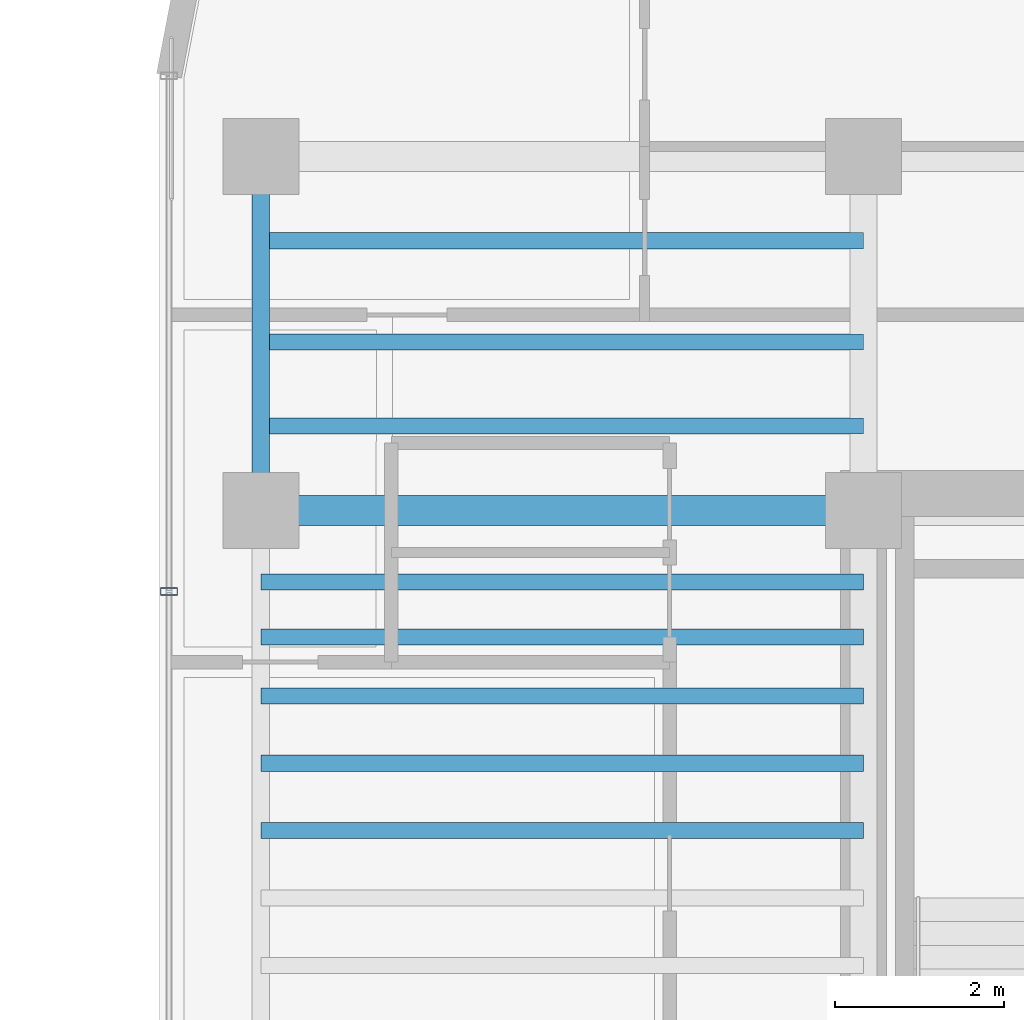
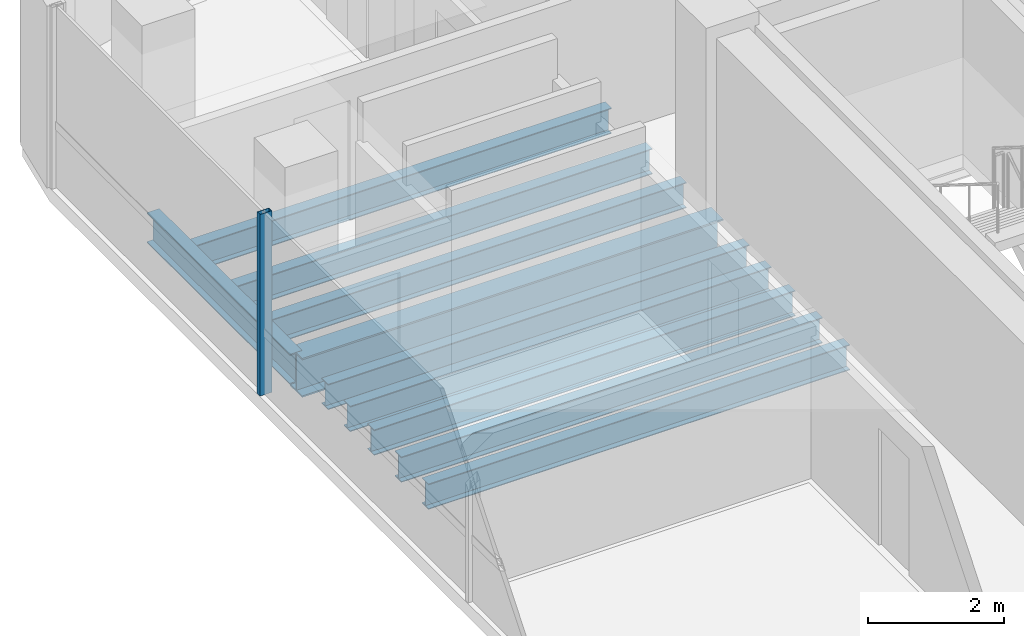
# One storey, part 9 of 24: 10 beams, 1 member, 1 element without a shape of its own.
"""IFC4 building model written with IfcOpenShell, lengths in metres."""

from ifc_helpers import new_model, si_unit, direction, frame, origin, origin_2d, place, context, subcontext, project, spatial, hollow_rectangle, i_section, extrude, source, transform, mapped, material, material_profile, profile_set, type_object, element, aggregate, save


model = new_model("IFC4")

# Units and contexts
model_context = context("Model", 3, precision=1e-05, world=origin(), true_north=direction((0.0, 1.0)))
body_context = subcontext(model_context, "Body", "Model", "MODEL_VIEW")
ifc_project = project(units=[si_unit("LENGTHUNIT", "METRE"), si_unit("AREAUNIT", "SQUARE_METRE"), si_unit("VOLUMEUNIT", "CUBIC_METRE"), si_unit("PLANEANGLEUNIT", "RADIAN"), si_unit("MASSUNIT", "GRAM", prefix="KILO")], contexts=[model_context])

# Site, building, storey
site_placement = place(None, origin())
site = spatial("IfcSite", under=ifc_project, at=site_placement, CompositionType="ELEMENT")
building_placement = place(site_placement, origin())
building = spatial("IfcBuilding", under=site, at=building_placement, Name="Valdorenza Pilgrim Sanctuary Tower", CompositionType="ELEMENT")
storey_placement = place(building_placement, frame((0.0, 0.0, 205.5)))
storey = spatial("IfcBuildingStorey", under=building, at=storey_placement, Name="L52", CompositionType="ELEMENT", Elevation=205.5)

# Beams
ifc_material_1 = material(Name="Steel ASTM A992 Grade 50", Category="steel")
ifc_material_profile_1 = material_profile(ifc_material_1, i_section(OverallWidth=0.19091796875, OverallDepth=0.45703125, WebThickness=0.009033203125, FlangeThickness=0.014404296875, at=origin_2d()), Name="W18X50")
ifc_profile_set_1 = profile_set([ifc_material_profile_1], Name="Steel ASTM A992 Grade 50")
beam_type_1 = type_object("IfcBeamType", Name="STR-BM-JST-W18B", PredefinedType="JOIST", material=ifc_profile_set_1)
shared_shape_1 = source(origin(), body_context, "Body", "SweptSolid", [
    extrude(i_section(OverallWidth=0.19091796875, OverallDepth=0.45703125, WebThickness=0.009033203125, FlangeThickness=0.014404296875, at=origin_2d()), origin(), (0.0, 0.0, 1.0), 7.150146484375),
])
for number, where, z_axis, x_axis, name in (
    (1, (-29.800048828125, 6.800048828125, -0.468505859375), (1.0, 0.0, 0.0), (0.0, 1.0, 0.0), "L52 Composite Floor Joist JST-WA-19"),
    (2, (-29.800048828125, 7.60009765625, -0.468505859375), (1.0, 0.0, 0.0), (0.0, 1.0, 0.0), "L52 Composite Floor Joist JST-WA-20"),
    (3, (-29.800048828125, 8.39990234375, -0.468505859375), (1.0, 0.0, 0.0), (0.0, 1.0, 0.0), "L52 Composite Floor Joist JST-WA-21"),
    (4, (-29.800048828125, 9.10009765625, -0.468505859375), (1.0, 0.0, 0.0), (0.0, 1.0, 0.0), "L52 Composite Floor Joist JST-WA-22"),
    (5, (-29.800048828125, 9.75, -0.468505859375), (1.0, 0.0, 0.0), (0.0, 1.0, 0.0), "L52 Composite Floor Joist JST-WA-23"),
    (6, (-29.800048828125, 11.60009765625, -0.468505859375), (1.0, 0.0, 0.0), (0.0, 1.0, 0.0), "L52 Composite Floor Joist JST-WA-24"),
    (7, (-29.800048828125, 12.60009765625, -0.468505859375), (1.0, 0.0, 0.0), (0.0, 1.0, 0.0), "L52 Composite Floor Joist JST-WA-25"),
    (8, (-29.800048828125, 13.800048828125, -0.468505859375), (1.0, 0.0, 0.0), (0.0, 1.0, 0.0), "L52 Composite Floor Joist JST-WA-26"),
):
    element("IfcBeam", number, at=place(storey_placement, frame(where, z_axis=z_axis, x_axis=x_axis)), inside=storey, type_object=beam_type_1, Name=name, PredefinedType="JOIST", context=body_context, shape_type="MappedRepresentation", body=[
        mapped(shared_shape_1, transform((0.0, 0.0, 0.0), x_axis=(1.0, 0.0, 0.0), y_axis=(0.0, 1.0, 0.0), z_axis=(0.0, 0.0, 1.0), scale=1.0)),
    ])
ifc_material_profile_2 = material_profile(ifc_material_1, i_section(OverallWidth=0.2109375, OverallDepth=0.5390625, WebThickness=0.01171875, FlangeThickness=0.018798828125, at=origin_2d()), Name="W21X73")
ifc_profile_set_2 = profile_set([ifc_material_profile_2], Name="Steel ASTM A992 Grade 50")
beam_type_2 = type_object("IfcBeamType", Name="STR-BM-SPN-W21B", PredefinedType="SPANDREL", material=ifc_profile_set_2)
shared_shape_2 = source(origin(), body_context, "Body", "SweptSolid", [
    extrude(i_section(OverallWidth=0.2109375, OverallDepth=0.5390625, WebThickness=0.01171875, FlangeThickness=0.018798828125, at=origin_2d()), origin(), (0.0, 0.0, 1.0), 4.199951171875),
])
beam_1_placement = place(storey_placement, frame((-29.800048828125, 10.60009765625, -0.509521484375), z_axis=(0.0, 1.0, 0.0), x_axis=(-1.0, 0.0, 0.0)))
element("IfcBeam", 9, at=beam_1_placement, inside=storey, type_object=beam_type_2, Name="L52 Spandrel Beam WA-W-N1N2", PredefinedType="SPANDREL", context=body_context, shape_type="MappedRepresentation", body=[
    mapped(shared_shape_2, transform((0.0, 0.0, 0.0), x_axis=(1.0, 0.0, 0.0), y_axis=(0.0, 1.0, 0.0), z_axis=(0.0, 0.0, 1.0), scale=1.0)),
])
ifc_material_profile_3 = material_profile(ifc_material_1, i_section(OverallWidth=0.35595703125, OverallDepth=0.700927734375, WebThickness=0.016845703125, FlangeThickness=0.02734375, at=origin_2d()), Name="W27X161")
ifc_profile_set_3 = profile_set([ifc_material_profile_3], Name="Steel ASTM A992 Grade 50")
beam_type_3 = type_object("IfcBeamType", Name="STR-BM-GRD-W27", PredefinedType="BEAM", material=ifc_profile_set_3)
shared_shape_3 = source(origin(), body_context, "Body", "SweptSolid", [
    extrude(i_section(OverallWidth=0.35595703125, OverallDepth=0.700927734375, WebThickness=0.016845703125, FlangeThickness=0.02734375, at=origin_2d()), origin(), (0.0, 0.0, 1.0), 7.150146484375),
])
beam_2_placement = place(storey_placement, frame((-29.800048828125, 10.60009765625, -0.590576171875), z_axis=(1.0, 0.0, 0.0), x_axis=(0.0, 1.0, 0.0)))
element("IfcBeam", 10, at=beam_2_placement, inside=storey, type_object=beam_type_3, Name="L52 Floor Girder WA-XW-N1", PredefinedType="BEAM", context=body_context, shape_type="MappedRepresentation", body=[
    mapped(shared_shape_3, transform((0.0, 0.0, 0.0), x_axis=(1.0, 0.0, 0.0), y_axis=(0.0, 1.0, 0.0), z_axis=(0.0, 0.0, 1.0), scale=1.0)),
])

# Curtain wall, member
ifc_material_2 = material(Name="Curtain-wall IGU glazing", Category="glass")
curtain_wall_type = type_object("IfcCurtainWallType", Name="CW-SYS-02", PredefinedType="NOTDEFINED", material=ifc_material_2)
curtain_wall_placement = place(storey_placement, origin())
curtain_wall = element("IfcCurtainWall", 11, at=curtain_wall_placement, inside=storey, type_object=curtain_wall_type, Name="L52 Curtain Wall CW-L52-1-1S2", PredefinedType="NOTDEFINED")
ifc_material_3 = material(Name="Anodised aluminium AW-6060", Category="aluminium")
ifc_material_profile_4 = material_profile(ifc_material_3, hollow_rectangle(XDim=0.0849609375, YDim=0.199951171875, WallThickness=0.0048828125, at=origin_2d()), Name="ALU-M 200x85x5")
ifc_profile_set_4 = profile_set([ifc_material_profile_4], Name="Anodised aluminium AW-6060")
member_type = type_object("IfcMemberType", Name="CW-MUL-02", PredefinedType="MULLION", material=ifc_profile_set_4)
shared_shape_4 = source(origin(), body_context, "Body", "SweptSolid", [
    extrude(hollow_rectangle(XDim=0.0849609375, YDim=0.199951171875, WallThickness=0.0048828125, at=origin_2d()), origin(), (0.0, 0.0, 1.0), 3.260009765625),
])
member_placement = place(storey_placement, frame((-30.889892578125, 9.63818359375, 0.0), z_axis=(0.0, 0.0, 1.0), x_axis=(0.0, 1.0, 0.0)))
member = element("IfcMember", 12, at=member_placement, type_object=member_type, Name="CW-L52-1-1S2 Mullion 3", PredefinedType="MULLION", context=body_context, shape_type="MappedRepresentation", body=[
    mapped(shared_shape_4, transform((0.0, 0.0, 0.0), x_axis=(1.0, 0.0, 0.0), y_axis=(0.0, 1.0, 0.0), z_axis=(0.0, 0.0, 1.0), scale=1.0)),
])
aggregate(curtain_wall, [member])

save(model, "model.ifc")
